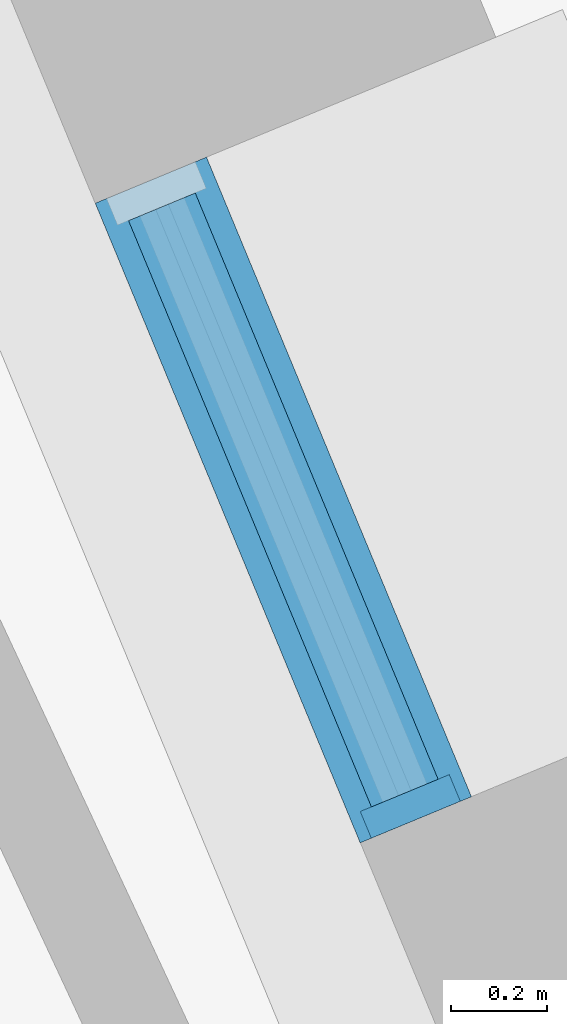
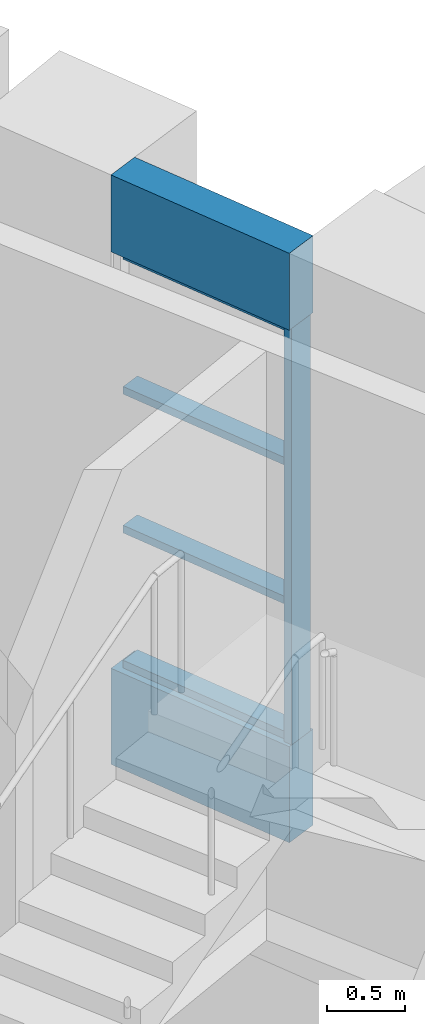
# One storey, part 21 of 85: 5 members, 2 beams, 1 element without a shape of its own.
"""IFC4 building model written with IfcOpenShell, lengths in metres."""

from ifc_helpers import new_model, si_unit, direction, frame, origin, origin_2d, place, context, subcontext, project, spatial, rectangle, extrude, material, layer, layer_set, material_profile, profile_set, type_object, element, aggregate, save


model = new_model("IFC4")

# Units and contexts
model_context = context("Model", 3, precision=1e-05, world=origin(), true_north=direction((0.0, 1.0)))
body_context = subcontext(model_context, "Body", "Model", "MODEL_VIEW")
ifc_project = project(units=[si_unit("LENGTHUNIT", "METRE"), si_unit("AREAUNIT", "SQUARE_METRE"), si_unit("VOLUMEUNIT", "CUBIC_METRE"), si_unit("PLANEANGLEUNIT", "RADIAN"), si_unit("MASSUNIT", "GRAM", prefix="KILO")], contexts=[model_context])

# Site, building, storey
site_placement = place(None, origin())
site = spatial("IfcSite", under=ifc_project, at=site_placement, CompositionType="ELEMENT")
building_placement = place(site_placement, origin())
building = spatial("IfcBuilding", under=site, at=building_placement, Name="Volute Hill Aquarium", CompositionType="ELEMENT")
storey_placement = place(building_placement, origin())
storey = spatial("IfcBuildingStorey", under=building, at=storey_placement, Name="L01", CompositionType="ELEMENT", Elevation=0.0)

# Curtain wall, members
ifc_material_1 = material(Name="Aluminium", Category="aluminium")
ifc_layer = layer(ifc_material_1, 0.25)
ifc_layer_set = layer_set([ifc_layer], Name="Curtain wall niche S4 module 1437")
curtain_wall_type = type_object("IfcCurtainWallType", Name="Curtain wall niche S4 module 1437", PredefinedType="NOTDEFINED", material=ifc_layer_set)
curtain_wall_placement = place(storey_placement, origin())
curtain_wall = element("IfcCurtainWall", 1, at=curtain_wall_placement, inside=storey, type_object=curtain_wall_type, Name="Curtain wall CW S4 L01 10", PredefinedType="NOTDEFINED")
ifc_material_2 = material(Name="Aluminium", Category="aluminium")
ifc_material_profile_1 = material_profile(ifc_material_2, rectangle(XDim=0.199951171875, YDim=0.06005859375, at=origin_2d()), Name="Curtain wall mullion S4 60x200")
ifc_profile_set_1 = profile_set([ifc_material_profile_1], Name="Aluminium")
member_type_1 = type_object("IfcMemberType", Name="Curtain wall mullion S4 60x200", PredefinedType="MULLION", material=ifc_profile_set_1)
member_1_placement = place(storey_placement, frame((40.29052734375, 15.835205078125, 0.75), z_axis=(0.0, 0.0, 1.0), x_axis=(-0.923873852375, -0.38269714514, 0.0)))
member_1 = element("IfcMember", 2, at=member_1_placement, type_object=member_type_1, Name="CW mullion 1", PredefinedType="MULLION", context=body_context, shape_type="SweptSolid", body=[
    extrude(rectangle(XDim=0.199951171875, YDim=0.06005859375, at=origin_2d()), origin(), (0.0, 0.0, 1.0), 3.25),
])
ifc_material_3 = material(Name="Aluminium", Category="aluminium")
ifc_material_profile_2 = material_profile(ifc_material_3, rectangle(XDim=0.14990234375, YDim=0.06005859375, at=origin_2d()), Name="Curtain wall transom S4 60x150")
ifc_profile_set_2 = profile_set([ifc_material_profile_2], Name="Aluminium")
member_type_2 = type_object("IfcMemberType", Name="Curtain wall transom S4 60x150", PredefinedType="USERDEFINED", material=ifc_profile_set_2)
member_2_placement = place(storey_placement, frame((40.279052734375, 15.86279296875, 0.780029296875), z_axis=(-0.3827064316, 0.923870005581, 0.0), x_axis=(-0.923870005581, -0.3827064316, 0.0)))
member_2 = element("IfcMember", 3, at=member_2_placement, type_object=member_type_2, Name="CW transom 1.1", ObjectType="TRANSOM", PredefinedType="USERDEFINED", context=body_context, shape_type="SweptSolid", body=[
    extrude(rectangle(XDim=0.14990234375, YDim=0.06005859375, at=origin_2d()), origin(), (0.0, 0.0, 1.0), 1.3173828125),
])
member_3_placement = place(storey_placement, frame((40.279052734375, 15.86279296875, 1.833251953125), z_axis=(-0.3827064316, 0.923870005581, 0.0), x_axis=(-0.923870005581, -0.3827064316, 0.0)))
member_3 = element("IfcMember", 4, at=member_3_placement, type_object=member_type_2, Name="CW transom 1.2", ObjectType="TRANSOM", PredefinedType="USERDEFINED", context=body_context, shape_type="SweptSolid", body=[
    extrude(rectangle(XDim=0.14990234375, YDim=0.06005859375, at=origin_2d()), origin(), (0.0, 0.0, 1.0), 1.3173828125),
])
member_4_placement = place(storey_placement, frame((40.279052734375, 15.86279296875, 2.916748046875), z_axis=(-0.3827064316, 0.923870005581, 0.0), x_axis=(-0.923870005581, -0.3827064316, 0.0)))
member_4 = element("IfcMember", 5, at=member_4_placement, type_object=member_type_2, Name="CW transom 1.3", ObjectType="TRANSOM", PredefinedType="USERDEFINED", context=body_context, shape_type="SweptSolid", body=[
    extrude(rectangle(XDim=0.14990234375, YDim=0.06005859375, at=origin_2d()), origin(), (0.0, 0.0, 1.0), 1.3173828125),
])
member_5_placement = place(storey_placement, frame((40.279052734375, 15.86279296875, 3.969970703125), z_axis=(-0.3827064316, 0.923870005581, 0.0), x_axis=(-0.923870005581, -0.3827064316, 0.0)))
member_5 = element("IfcMember", 6, at=member_5_placement, type_object=member_type_2, Name="CW transom 1.4", ObjectType="TRANSOM", PredefinedType="USERDEFINED", context=body_context, shape_type="SweptSolid", body=[
    extrude(rectangle(XDim=0.14990234375, YDim=0.06005859375, at=origin_2d()), origin(), (0.0, 0.0, 1.0), 1.3173828125),
])
aggregate(curtain_wall, [member_1, member_2, member_3, member_4, member_5])

# Beams
ifc_material_4 = material(Name="Concrete C35/45", Category="concrete")
ifc_material_profile_3 = material_profile(ifc_material_4, rectangle(XDim=0.25, YDim=0.60009765625, at=origin_2d()), Name="RC beam 250x600")
ifc_profile_set_3 = profile_set([ifc_material_profile_3], Name="Concrete C35/45")
beam_type_1 = type_object("IfcBeamType", Name="Niche head beam RC 250x600 C35/45", PredefinedType="BEAM", material=ifc_profile_set_3)
beam_1_placement = place(storey_placement, frame((40.302001953125, 15.807373046875, 4.300048828125), z_axis=(-0.382696833945, 0.923873981281, 0.0), x_axis=(-0.923873981281, -0.382696833945, 0.0)))
element("IfcBeam", 7, at=beam_1_placement, inside=storey, type_object=beam_type_1, Name="Niche head beam OWB S4 L01 10", PredefinedType="BEAM", context=body_context, shape_type="SweptSolid", body=[
    extrude(rectangle(XDim=0.25, YDim=0.60009765625, at=origin_2d()), origin(), (0.0, 0.0, 1.0), 1.437255859375),
])
ifc_material_5 = material(Name="Concrete C35/45", Category="concrete")
ifc_material_profile_4 = material_profile(ifc_material_5, rectangle(XDim=0.25, YDim=0.75, at=origin_2d()), Name="RC beam 250x750")
ifc_profile_set_4 = profile_set([ifc_material_profile_4], Name="Concrete C35/45")
beam_type_2 = type_object("IfcBeamType", Name="Niche sill beam RC 250x750 C35/45", PredefinedType="BEAM", material=ifc_profile_set_4)
beam_2_placement = place(storey_placement, frame((40.302001953125, 15.807373046875, 0.375), z_axis=(-0.382696833945, 0.923873981281, 0.0), x_axis=(-0.923873981281, -0.382696833945, 0.0)))
element("IfcBeam", 8, at=beam_2_placement, inside=storey, type_object=beam_type_2, Name="Niche sill beam OWB S4 L01 10", PredefinedType="BEAM", context=body_context, shape_type="SweptSolid", body=[
    extrude(rectangle(XDim=0.25, YDim=0.75, at=origin_2d()), origin(), (0.0, 0.0, 1.0), 1.437255859375),
])

save(model, "model.ifc")
